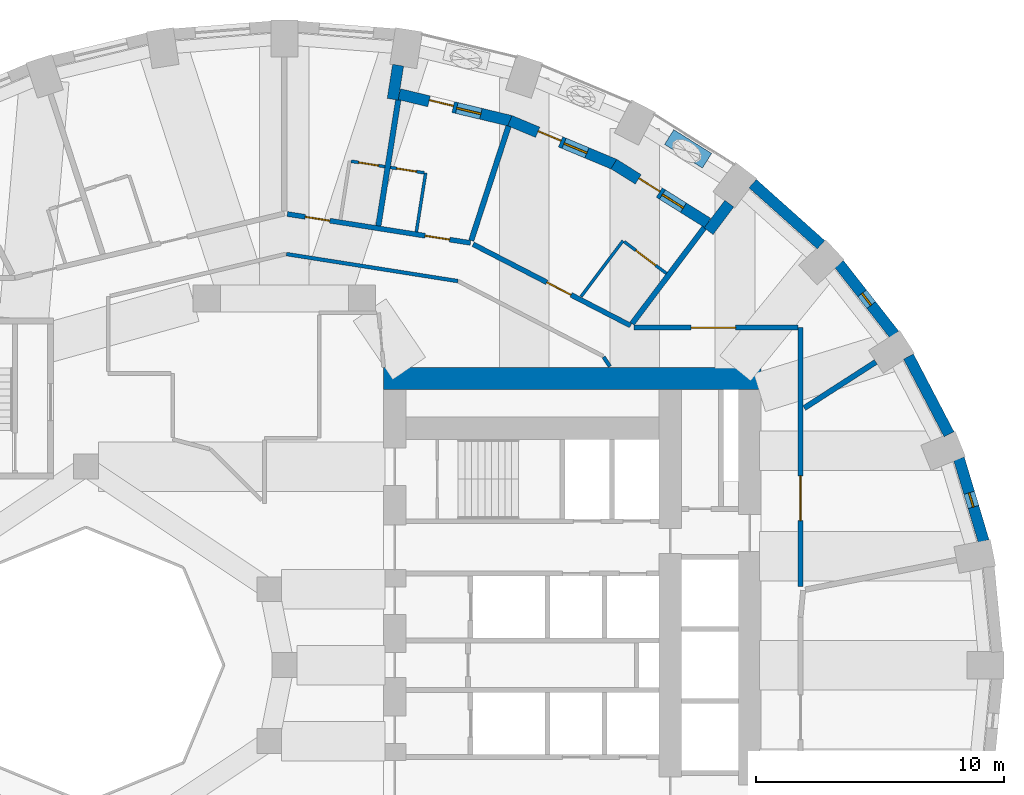
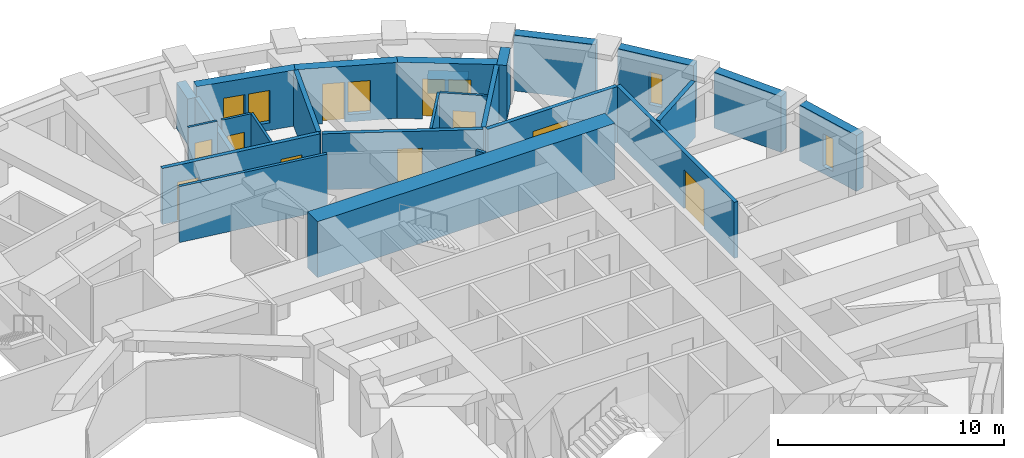
# One storey, part 9 of 13: 26 walls, 11 doors, 5 windows, 16 openings.
"""IFC4 building model written with IfcOpenShell, lengths in metres."""

from ifc_helpers import new_model, si_unit, direction, frame, frame_2d, origin, place, context, subcontext, project, spatial, rectangle, extrude, material, layer, layer_set, constituent, constituent_set, type_object, element, fill, save


model = new_model("IFC4")

# Units and contexts
model_context = context("Model", 3, precision=1e-05, world=origin(), true_north=direction((0.0, 1.0)))
body_context = subcontext(model_context, "Body", "Model", "MODEL_VIEW")
ifc_project = project(units=[si_unit("LENGTHUNIT", "METRE"), si_unit("AREAUNIT", "SQUARE_METRE"), si_unit("VOLUMEUNIT", "CUBIC_METRE"), si_unit("PLANEANGLEUNIT", "RADIAN"), si_unit("MASSUNIT", "GRAM", prefix="KILO")], contexts=[model_context])

# Site, building, storey
site_placement = place(None, origin())
site = spatial("IfcSite", under=ifc_project, at=site_placement, CompositionType="ELEMENT")
building_placement = place(site_placement, origin())
building = spatial("IfcBuilding", under=site, at=building_placement, Name="Taillehof Tower", CompositionType="ELEMENT")
storey_placement = place(building_placement, frame((0.0, 0.0, 67.89990234375)))
storey = spatial("IfcBuildingStorey", under=building, at=storey_placement, Name="L18", CompositionType="ELEMENT", Elevation=67.89990234375)

# Wall, opening, window
ifc_material_1 = material(Name="Brick masonry", Category="masonry")
ifc_layer_1 = layer(ifc_material_1, 0.449951171875)
ifc_layer_set_1 = layer_set([ifc_layer_1], Name="Brick infill wall 450")
wall_type_1 = type_object("IfcWallType", Name="Brick infill wall 450", PredefinedType="SOLIDWALL", material=ifc_layer_set_1)
wall_1_placement = place(storey_placement, frame((28.181884765625, 4.995849609375, 0.0), z_axis=(0.0, 0.0, 1.0), x_axis=(-0.287064133733, 0.957911364963, 0.0)))
wall_1 = element("IfcWall", 1, at=wall_1_placement, inside=storey, type_object=wall_type_1, Name="Brick wall L18 bay 2", PredefinedType="SOLIDWALL", context=body_context, shape_type="SweptSolid", body=[
    extrude(rectangle(XDim=3.473388671875, YDim=0.449951171875, at=frame_2d((1.73681640625, 0.0))), origin(), (0.0, 0.0, 1.0), 3.02001953125),
])
opening_1_placement = place(wall_1_placement, frame((1.436767578125, 0.0, 0.39990234375)))
opening_1 = element("IfcOpeningElement", 2, at=opening_1_placement, cuts=wall_1, Name="Opening W6", PredefinedType="OPENING", context=body_context, shape_type="SweptSolid", body=[
    extrude(rectangle(XDim=0.60009765625, YDim=1.75, at=frame_2d((0.300048828125, 0.875))), frame((0.0, 0.23486328125, 0.0), z_axis=(0.0, -1.0, 0.0), x_axis=(1.0, 0.0, 0.0)), (0.0, 0.0, 1.0), 0.469970703125),
])
ifc_material_2 = material(Name="Aluminium window frame with clear double glazing", Category="aluminium")
window_type_1 = type_object("IfcWindowType", Name="Slot window 600x1750", PartitioningType="SINGLE_PANEL", PredefinedType="WINDOW", material=ifc_material_2)
window_1_placement = place(opening_1_placement, origin())
window_1 = element("IfcWindow", 3, at=window_1_placement, inside=storey, type_object=window_type_1, Name="W6", OverallHeight=1.75, OverallWidth=0.60009765625, PartitioningType="SINGLE_PANEL", PredefinedType="WINDOW", context=body_context, shape_type="SweptSolid", body=[
    extrude(rectangle(XDim=0.60009765625, YDim=1.75, at=frame_2d((0.300048828125, 0.875))), frame((0.0, 0.034912109375, 0.0), z_axis=(0.0, -1.0, 0.0), x_axis=(1.0, 0.0, 0.0)), (0.0, 0.0, 1.0), 0.06005859375),
])
fill(opening_1, window_1)

# Wall
wall_2_placement = place(storey_placement, frame((26.78564453125, 9.30517578125, 0.0), z_axis=(0.0, 0.0, 1.0), x_axis=(-0.462492775226, 0.886623050041, 0.0)))
element("IfcWall", 4, at=wall_2_placement, inside=storey, type_object=wall_type_1, Name="Brick wall L18 bay 3", PredefinedType="SOLIDWALL", context=body_context, shape_type="SweptSolid", body=[
    extrude(rectangle(XDim=3.531982421875, YDim=0.449951171875, at=frame_2d((1.76611328125, 0.0))), origin(), (0.0, 0.0, 1.0), 3.02001953125),
])

# Wall, opening, window
wall_3_placement = place(storey_placement, frame((24.57763671875, 13.327880859375, 0.0), z_axis=(0.0, 0.0, 1.0), x_axis=(-0.616661975264, 0.787228053529, 0.0)))
wall_3 = element("IfcWall", 5, at=wall_3_placement, inside=storey, type_object=wall_type_1, Name="Brick wall L18 bay 4", PredefinedType="SOLIDWALL", context=body_context, shape_type="SweptSolid", body=[
    extrude(rectangle(XDim=3.60986328125, YDim=0.449951171875, at=frame_2d((1.804931640625, 0.0))), origin(), (0.0, 0.0, 1.0), 3.02001953125),
])
opening_2_placement = place(wall_3_placement, frame((1.5048828125, 0.0, 0.39990234375)))
opening_2 = element("IfcOpeningElement", 6, at=opening_2_placement, cuts=wall_3, Name="Opening W6", PredefinedType="OPENING", context=body_context, shape_type="SweptSolid", body=[
    extrude(rectangle(XDim=0.60009765625, YDim=1.75, at=frame_2d((0.300048828125, 0.875))), frame((0.0, 0.23486328125, 0.0), z_axis=(0.0, -1.0, 0.0), x_axis=(1.0, 0.0, 0.0)), (0.0, 0.0, 1.0), 0.469970703125),
])
window_2_placement = place(opening_2_placement, origin())
window_2 = element("IfcWindow", 7, at=window_2_placement, inside=storey, type_object=window_type_1, Name="W6", OverallHeight=1.75, OverallWidth=0.60009765625, PartitioningType="SINGLE_PANEL", PredefinedType="WINDOW", context=body_context, shape_type="SweptSolid", body=[
    extrude(rectangle(XDim=0.60009765625, YDim=1.75, at=frame_2d((0.300048828125, 0.875))), frame((0.0, 0.034912109375, 0.0), z_axis=(0.0, -1.0, 0.0), x_axis=(1.0, 0.0, 0.0)), (0.0, 0.0, 1.0), 0.06005859375),
])
fill(opening_2, window_2)

# Walls
wall_4_placement = place(storey_placement, frame((21.626708984375, 16.943115234375, 0.0), z_axis=(0.0, 0.0, 1.0), x_axis=(-0.745526233716, 0.66647628228, 0.0)))
element("IfcWall", 8, at=wall_4_placement, inside=storey, type_object=wall_type_1, Name="Brick wall L18 bay 5", PredefinedType="SOLIDWALL", context=body_context, shape_type="SweptSolid", body=[
    extrude(rectangle(XDim=3.69677734375, YDim=0.449951171875, at=frame_2d((1.848388671875, 0.0))), origin(), (0.0, 0.0, 1.0), 3.02001953125),
])
wall_5_placement = place(storey_placement, frame((17.931640625, 18.60009765625, 0.0), z_axis=(0.0, 0.0, 1.0), x_axis=(-0.601262851241, -0.799051302306, 0.0)))
element("IfcWall", 9, at=wall_5_placement, inside=storey, type_object=wall_type_1, Name="Brick reveal L18 pocket 1", PredefinedType="SOLIDWALL", context=body_context, shape_type="SweptSolid", body=[
    extrude(rectangle(XDim=1.39111328125, YDim=0.449951171875, at=frame_2d((0.695556640625, 0.0))), origin(), (0.0, 0.0, 1.0), 3.02001953125),
])
wall_6_placement = place(storey_placement, frame((4.58251953125, 24.178466796875, 0.0), z_axis=(0.0, 0.0, 1.0), x_axis=(-0.156133927791, -0.98773589415, 0.0)))
element("IfcWall", 10, at=wall_6_placement, inside=storey, type_object=wall_type_1, Name="Brick reveal L18 pocket 1", PredefinedType="SOLIDWALL", context=body_context, shape_type="SweptSolid", body=[
    extrude(rectangle(XDim=1.39013671875, YDim=0.449951171875, at=frame_2d((0.695068359375, 0.0))), origin(), (0.0, 0.0, 1.0), 2.47021484375),
])

# Wall, openings, door, window
wall_7_placement = place(storey_placement, frame((17.062255859375, 17.81884765625, 0.0), z_axis=(0.0, 0.0, 1.0), x_axis=(-0.846990101364, 0.531608660757, 0.0)))
wall_7 = element("IfcWall", 11, at=wall_7_placement, inside=storey, type_object=wall_type_1, Name="Brick wall L18 pocket bay 6", PredefinedType="SOLIDWALL", context=body_context, shape_type="SweptSolid", body=[
    extrude(rectangle(XDim=4.468994140625, YDim=0.449951171875, at=frame_2d((2.234375, 0.0))), origin(), (0.0, 0.0, 1.0), 3.02001953125),
])
opening_3_placement = place(wall_7_placement, frame((1.159423828125, 0.0, 0.39990234375)))
opening_3 = element("IfcOpeningElement", 12, at=opening_3_placement, cuts=wall_7, Name="Opening W5", PredefinedType="OPENING", context=body_context, shape_type="SweptSolid", body=[
    extrude(rectangle(XDim=1.0, YDim=1.75, at=frame_2d((0.5, 0.875))), frame((0.0, 0.23486328125, 0.0), z_axis=(0.0, -1.0, 0.0), x_axis=(1.0, 0.0, 0.0)), (0.0, 0.0, 1.0), 0.469970703125),
])
opening_4_placement = place(wall_7_placement, frame((2.3095703125, 0.0, 0.0)))
opening_4 = element("IfcOpeningElement", 13, at=opening_4_placement, cuts=wall_7, Name="Opening D1894", PredefinedType="OPENING", context=body_context, shape_type="SweptSolid", body=[
    extrude(rectangle(XDim=1.0, YDim=2.14990234375, at=frame_2d((0.5, 1.074951171875))), frame((0.0, 0.23486328125, 0.0), z_axis=(0.0, -1.0, 0.0), x_axis=(1.0, 0.0, 0.0)), (0.0, 0.0, 1.0), 0.469970703125),
])
ifc_material_3 = material(Name="Aluminium door frame with clear double glazing", Category="aluminium")
door_type_1 = type_object("IfcDoorType", Name="Balcony door 1000x2150", OperationType="SINGLE_SWING_RIGHT", PredefinedType="DOOR", material=ifc_material_3)
door_1_placement = place(opening_4_placement, frame((1.0, 0.0, 0.0), z_axis=(0.0, 0.0, 1.0), x_axis=(-1.0, 0.0, 0.0)))
door_1 = element("IfcDoor", 14, at=door_1_placement, inside=storey, type_object=door_type_1, Name="Balcony door L18 bay 6", OperationType="SINGLE_SWING_RIGHT", OverallHeight=2.14990234375, OverallWidth=1.0, PredefinedType="DOOR", context=body_context, shape_type="SweptSolid", body=[
    extrude(rectangle(XDim=1.0, YDim=2.14990234375, at=frame_2d((0.5, 1.074951171875))), frame((0.0, 0.0751953125, 0.0), z_axis=(0.0, -1.0, 0.0), x_axis=(1.0, 0.0, 0.0)), (0.0, 0.0, 1.0), 0.050048828125),
])
fill(opening_4, door_1)
ifc_material_4 = material(Name="Aluminium window frame with clear double glazing", Category="aluminium")
window_type_2 = type_object("IfcWindowType", Name="Fixed window 1000x1750", PartitioningType="SINGLE_PANEL", PredefinedType="WINDOW", material=ifc_material_4)
window_3_placement = place(opening_3_placement, origin())
window_3 = element("IfcWindow", 15, at=window_3_placement, inside=storey, type_object=window_type_2, Name="W5", OverallHeight=1.75, OverallWidth=1.0, PartitioningType="SINGLE_PANEL", PredefinedType="WINDOW", context=body_context, shape_type="SweptSolid", body=[
    extrude(rectangle(XDim=1.0, YDim=1.75, at=frame_2d((0.5, 0.875))), frame((0.0, 0.034912109375, 0.0), z_axis=(0.0, -1.0, 0.0), x_axis=(1.0, 0.0, 0.0)), (0.0, 0.0, 1.0), 0.06005859375),
])
fill(opening_3, window_3)

wall_8_placement = place(storey_placement, frame((13.31005859375, 20.177734375, 0.0), z_axis=(0.0, 0.0, 1.0), x_axis=(-0.922634412489, 0.385675693935, 0.0)))
wall_8 = element("IfcWall", 16, at=wall_8_placement, inside=storey, type_object=wall_type_1, Name="Brick wall L18 pocket bay 7", PredefinedType="SOLIDWALL", context=body_context, shape_type="SweptSolid", body=[
    extrude(rectangle(XDim=4.57666015625, YDim=0.449951171875, at=frame_2d((2.288330078125, 0.0))), origin(), (0.0, 0.0, 1.0), 3.02001953125),
])
opening_5_placement = place(wall_8_placement, frame((1.21337890625, 0.0, 0.39990234375)))
opening_5 = element("IfcOpeningElement", 17, at=opening_5_placement, cuts=wall_8, Name="Opening W5", PredefinedType="OPENING", context=body_context, shape_type="SweptSolid", body=[
    extrude(rectangle(XDim=1.0, YDim=1.75, at=frame_2d((0.5, 0.875))), frame((0.0, 0.23486328125, 0.0), z_axis=(0.0, -1.0, 0.0), x_axis=(1.0, 0.0, 0.0)), (0.0, 0.0, 1.0), 0.469970703125),
])
opening_6_placement = place(wall_8_placement, frame((2.36328125, 0.0, 0.0)))
opening_6 = element("IfcOpeningElement", 18, at=opening_6_placement, cuts=wall_8, Name="Opening D1895", PredefinedType="OPENING", context=body_context, shape_type="SweptSolid", body=[
    extrude(rectangle(XDim=1.0, YDim=2.14990234375, at=frame_2d((0.5, 1.074951171875))), frame((0.0, 0.23486328125, 0.0), z_axis=(0.0, -1.0, 0.0), x_axis=(1.0, 0.0, 0.0)), (0.0, 0.0, 1.0), 0.469970703125),
])
door_2_placement = place(opening_6_placement, frame((1.0, 0.0, 0.0), z_axis=(0.0, 0.0, 1.0), x_axis=(-1.0, 0.0, 0.0)))
door_2 = element("IfcDoor", 19, at=door_2_placement, inside=storey, type_object=door_type_1, Name="Balcony door L18 bay 7", OperationType="SINGLE_SWING_LEFT", OverallHeight=2.14990234375, OverallWidth=1.0, PredefinedType="DOOR", context=body_context, shape_type="SweptSolid", body=[
    extrude(rectangle(XDim=1.0, YDim=2.14990234375, at=frame_2d((0.5, 1.074951171875))), frame((0.0, 0.0751953125, 0.0), z_axis=(0.0, -1.0, 0.0), x_axis=(1.0, 0.0, 0.0)), (0.0, 0.0, 1.0), 0.050048828125),
])
fill(opening_6, door_2)
window_4_placement = place(opening_5_placement, origin())
window_4 = element("IfcWindow", 20, at=window_4_placement, inside=storey, type_object=window_type_2, Name="W5", OverallHeight=1.75, OverallWidth=1.0, PartitioningType="SINGLE_PANEL", PredefinedType="WINDOW", context=body_context, shape_type="SweptSolid", body=[
    extrude(rectangle(XDim=1.0, YDim=1.75, at=frame_2d((0.5, 0.875))), frame((0.0, 0.034912109375, 0.0), z_axis=(0.0, -1.0, 0.0), x_axis=(1.0, 0.0, 0.0)), (0.0, 0.0, 1.0), 0.06005859375),
])
fill(opening_5, window_4)

wall_9_placement = place(storey_placement, frame((9.12158203125, 21.931640625, 0.0), z_axis=(0.0, 0.0, 1.0), x_axis=(-0.972346547441, 0.233542697764, 0.0)))
wall_9 = element("IfcWall", 21, at=wall_9_placement, inside=storey, type_object=wall_type_1, Name="Brick wall L18 pocket bay 8", PredefinedType="SOLIDWALL", context=body_context, shape_type="SweptSolid", body=[
    extrude(rectangle(XDim=4.623779296875, YDim=0.449951171875, at=frame_2d((2.31201171875, 0.0))), origin(), (0.0, 0.0, 1.0), 3.02001953125),
])
opening_7_placement = place(wall_9_placement, frame((1.23681640625, 0.0, 0.39990234375)))
opening_7 = element("IfcOpeningElement", 22, at=opening_7_placement, cuts=wall_9, Name="Opening W5", PredefinedType="OPENING", context=body_context, shape_type="SweptSolid", body=[
    extrude(rectangle(XDim=1.0, YDim=1.75, at=frame_2d((0.5, 0.875))), frame((0.0, 0.23486328125, 0.0), z_axis=(0.0, -1.0, 0.0), x_axis=(1.0, 0.0, 0.0)), (0.0, 0.0, 1.0), 0.469970703125),
])
opening_8_placement = place(wall_9_placement, frame((2.38671875, 0.0, 0.0)))
opening_8 = element("IfcOpeningElement", 23, at=opening_8_placement, cuts=wall_9, Name="Opening D1896", PredefinedType="OPENING", context=body_context, shape_type="SweptSolid", body=[
    extrude(rectangle(XDim=1.0, YDim=2.14990234375, at=frame_2d((0.5, 1.074951171875))), frame((0.0, 0.23486328125, 0.0), z_axis=(0.0, -1.0, 0.0), x_axis=(1.0, 0.0, 0.0)), (0.0, 0.0, 1.0), 0.469970703125),
])
door_3_placement = place(opening_8_placement, frame((1.0, 0.0, 0.0), z_axis=(0.0, 0.0, 1.0), x_axis=(-1.0, 0.0, 0.0)))
door_3 = element("IfcDoor", 24, at=door_3_placement, inside=storey, type_object=door_type_1, Name="Balcony door L18 bay 8", OperationType="SINGLE_SWING_LEFT", OverallHeight=2.14990234375, OverallWidth=1.0, PredefinedType="DOOR", context=body_context, shape_type="SweptSolid", body=[
    extrude(rectangle(XDim=1.0, YDim=2.14990234375, at=frame_2d((0.5, 1.074951171875))), frame((0.0, 0.0751953125, 0.0), z_axis=(0.0, -1.0, 0.0), x_axis=(1.0, 0.0, 0.0)), (0.0, 0.0, 1.0), 0.050048828125),
])
fill(opening_8, door_3)
window_5_placement = place(opening_7_placement, origin())
window_5 = element("IfcWindow", 25, at=window_5_placement, inside=storey, type_object=window_type_2, Name="W5", OverallHeight=1.75, OverallWidth=1.0, PartitioningType="SINGLE_PANEL", PredefinedType="WINDOW", context=body_context, shape_type="SweptSolid", body=[
    extrude(rectangle(XDim=1.0, YDim=1.75, at=frame_2d((0.5, 0.875))), frame((0.0, 0.034912109375, 0.0), z_axis=(0.0, -1.0, 0.0), x_axis=(1.0, 0.0, 0.0)), (0.0, 0.0, 1.0), 0.06005859375),
])
fill(opening_7, window_5)

# Wall, opening, door
ifc_material_5 = material(Name="Gypsum board on steel studs, two layers each side", Category="steel")
ifc_layer_2 = layer(ifc_material_5, 0.199951171875)
ifc_layer_set_2 = layer_set([ifc_layer_2], Name="Compartment wall corridor 200")
wall_type_2 = type_object("IfcWallType", Name="Compartment wall corridor 200", PredefinedType="PARTITIONING", material=ifc_layer_set_2)
wall_10_placement = place(storey_placement, frame((20.800048828125, 13.60009765625, 0.0), z_axis=(0.0, 0.0, 1.0), x_axis=(0.0, -1.0, 0.0)))
wall_10 = element("IfcWall", 26, at=wall_10_placement, inside=storey, type_object=wall_type_2, Name="Compartment wall", PredefinedType="PARTITIONING", context=body_context, shape_type="SweptSolid", body=[
    extrude(rectangle(XDim=10.427734375, YDim=0.199951171875, at=frame_2d((5.2138671875, 0.0))), origin(), (0.0, 0.0, 1.0), 3.02001953125),
])
opening_9_placement = place(wall_10_placement, frame((5.9755859375, 0.0, 0.0)))
opening_9 = element("IfcOpeningElement", 27, at=opening_9_placement, cuts=wall_10, Name="Opening D1877", PredefinedType="OPENING", context=body_context, shape_type="SweptSolid", body=[
    extrude(rectangle(XDim=1.800048828125, YDim=2.10009765625, at=frame_2d((0.89990234375, 1.050048828125))), frame((0.0, 0.10986328125, 0.0), z_axis=(0.0, -1.0, 0.0), x_axis=(1.0, 0.0, 0.0)), (0.0, 0.0, 1.0), 0.219970703125),
])
ifc_material_6 = material(Name="Timber door leaf in steel frame", Category="steel")
door_type_2 = type_object("IfcDoorType", Name="Lounge and meeting room double door EI 30 1800 x 2100", OperationType="SINGLE_SWING_LEFT", PredefinedType="DOOR", material=ifc_material_6)
door_4_placement = place(opening_9_placement, origin())
door_4 = element("IfcDoor", 28, at=door_4_placement, inside=storey, type_object=door_type_2, Name="D1877", OperationType="DOUBLE_DOOR_SINGLE_SWING", OverallHeight=2.10009765625, OverallWidth=1.800048828125, PredefinedType="DOOR", context=body_context, shape_type="SweptSolid", body=[
    extrude(rectangle(XDim=1.800048828125, YDim=2.10009765625, at=frame_2d((0.89990234375, 1.050048828125))), frame((0.0, 0.02490234375, 0.0), z_axis=(0.0, -1.0, 0.0), x_axis=(1.0, 0.0, 0.0)), (0.0, 0.0, 1.0), 0.050048828125),
])
fill(opening_9, door_4)

# Wall, openings, doors
wall_11_placement = place(storey_placement, frame((0.11865234375, 18.180908203125, 0.0), z_axis=(0.0, 0.0, 1.0), x_axis=(0.987788122462, -0.155803161464, 0.0)))
wall_11 = element("IfcWall", 29, at=wall_11_placement, inside=storey, type_object=wall_type_2, Name="Compartment wall", PredefinedType="PARTITIONING", context=body_context, shape_type="SweptSolid", body=[
    extrude(rectangle(XDim=7.471435546875, YDim=0.199951171875, at=frame_2d((3.73583984375, 0.0))), origin(), (0.0, 0.0, 1.0), 3.02001953125),
])
opening_10_placement = place(wall_11_placement, frame((5.61865234375, 0.0, 0.0)))
opening_10 = element("IfcOpeningElement", 30, at=opening_10_placement, cuts=wall_11, Name="Opening D1842", PredefinedType="OPENING", context=body_context, shape_type="SweptSolid", body=[
    extrude(rectangle(XDim=1.0, YDim=2.10009765625, at=frame_2d((0.5, 1.050048828125))), frame((0.0, 0.10986328125, 0.0), z_axis=(0.0, -1.0, 0.0), x_axis=(1.0, 0.0, 0.0)), (0.0, 0.0, 1.0), 0.219970703125),
])
opening_11_placement = place(wall_11_placement, frame((0.731689453125, 0.0, 0.0)))
opening_11 = element("IfcOpeningElement", 31, at=opening_11_placement, cuts=wall_11, Name="Opening D1844", PredefinedType="OPENING", context=body_context, shape_type="SweptSolid", body=[
    extrude(rectangle(XDim=1.0, YDim=2.10009765625, at=frame_2d((0.5, 1.050048828125))), frame((0.0, 0.10986328125, 0.0), z_axis=(0.0, -1.0, 0.0), x_axis=(1.0, 0.0, 0.0)), (0.0, 0.0, 1.0), 0.219970703125),
])
ifc_material_7 = material(Name="Timber door leaf in steel frame", Category="steel")
door_type_3 = type_object("IfcDoorType", Name="Guest room door EI 30 1000 x 2100", OperationType="SINGLE_SWING_LEFT", PredefinedType="DOOR", material=ifc_material_7)
door_5_placement = place(opening_10_placement, origin())
door_5 = element("IfcDoor", 32, at=door_5_placement, inside=storey, type_object=door_type_3, Name="D1842", OperationType="SINGLE_SWING_LEFT", OverallHeight=2.10009765625, OverallWidth=1.0, PredefinedType="DOOR", context=body_context, shape_type="SweptSolid", body=[
    extrude(rectangle(XDim=1.0, YDim=2.10009765625, at=frame_2d((0.5, 1.050048828125))), frame((0.0, 0.02490234375, 0.0), z_axis=(0.0, -1.0, 0.0), x_axis=(1.0, 0.0, 0.0)), (0.0, 0.0, 1.0), 0.050048828125),
])
fill(opening_10, door_5)
door_6_placement = place(opening_11_placement, origin())
door_6 = element("IfcDoor", 33, at=door_6_placement, inside=storey, type_object=door_type_3, Name="D1844", OperationType="SINGLE_SWING_RIGHT", OverallHeight=2.10009765625, OverallWidth=1.0, PredefinedType="DOOR", context=body_context, shape_type="SweptSolid", body=[
    extrude(rectangle(XDim=1.0, YDim=2.10009765625, at=frame_2d((0.5, 1.050048828125))), frame((0.0, 0.02490234375, 0.0), z_axis=(0.0, -1.0, 0.0), x_axis=(1.0, 0.0, 0.0)), (0.0, 0.0, 1.0), 0.050048828125),
])
fill(opening_11, door_6)

# Wall, opening, door
wall_12_placement = place(storey_placement, frame((7.605712890625, 16.961181640625, 0.0), z_axis=(0.0, 0.0, 1.0), x_axis=(0.888519518851, -0.45883882205, 0.0)))
wall_12 = element("IfcWall", 34, at=wall_12_placement, inside=storey, type_object=wall_type_2, Name="Compartment wall", PredefinedType="PARTITIONING", context=body_context, shape_type="SweptSolid", body=[
    extrude(rectangle(XDim=7.14208984375, YDim=0.199951171875, at=frame_2d((3.571044921875, 0.0))), origin(), (0.0, 0.0, 1.0), 3.02001953125),
])
opening_12_placement = place(wall_12_placement, frame((3.342041015625, 0.0, 0.0)))
opening_12 = element("IfcOpeningElement", 35, at=opening_12_placement, cuts=wall_12, Name="Opening D1840", PredefinedType="OPENING", context=body_context, shape_type="SweptSolid", body=[
    extrude(rectangle(XDim=1.10009765625, YDim=2.10009765625, at=frame_2d((0.550048828125, 1.050048828125))), frame((0.0, 0.10986328125, 0.0), z_axis=(0.0, -1.0, 0.0), x_axis=(1.0, 0.0, 0.0)), (0.0, 0.0, 1.0), 0.219970703125),
])
ifc_material_8 = material(Name="Timber door leaf in steel frame", Category="steel")
door_type_4 = type_object("IfcDoorType", Name="Accessible guest room door EI 30 1100 x 2100", OperationType="SINGLE_SWING_LEFT", PredefinedType="DOOR", material=ifc_material_8)
door_7_placement = place(opening_12_placement, origin())
door_7 = element("IfcDoor", 36, at=door_7_placement, inside=storey, type_object=door_type_4, Name="D1840", OperationType="SINGLE_SWING_RIGHT", OverallHeight=2.10009765625, OverallWidth=1.10009765625, PredefinedType="DOOR", context=body_context, shape_type="SweptSolid", body=[
    extrude(rectangle(XDim=1.10009765625, YDim=2.10009765625, at=frame_2d((0.550048828125, 1.050048828125))), frame((0.0, 0.02490234375, 0.0), z_axis=(0.0, -1.0, 0.0), x_axis=(1.0, 0.0, 0.0)), (0.0, 0.0, 1.0), 0.050048828125),
])
fill(opening_12, door_7)

wall_13_placement = place(storey_placement, frame((14.08642578125, 13.60009765625, 0.0), z_axis=(0.0, 0.0, 1.0), x_axis=(1.0, 0.0, 0.0)))
wall_13 = element("IfcWall", 37, at=wall_13_placement, inside=storey, type_object=wall_type_2, Name="Compartment wall", PredefinedType="PARTITIONING", context=body_context, shape_type="SweptSolid", body=[
    extrude(rectangle(XDim=6.613525390625, YDim=0.199951171875, at=frame_2d((3.306640625, 0.0))), origin(), (0.0, 0.0, 1.0), 3.02001953125),
])
opening_13_placement = place(wall_13_placement, frame((2.302734375, 0.0, 0.0)))
opening_13 = element("IfcOpeningElement", 38, at=opening_13_placement, cuts=wall_13, Name="Opening D1878", PredefinedType="OPENING", context=body_context, shape_type="SweptSolid", body=[
    extrude(rectangle(XDim=1.800048828125, YDim=2.10009765625, at=frame_2d((0.89990234375, 1.050048828125))), frame((0.0, 0.10986328125, 0.0), z_axis=(0.0, -1.0, 0.0), x_axis=(1.0, 0.0, 0.0)), (0.0, 0.0, 1.0), 0.219970703125),
])
door_8_placement = place(opening_13_placement, origin())
door_8 = element("IfcDoor", 39, at=door_8_placement, inside=storey, type_object=door_type_2, Name="D1878", OperationType="DOUBLE_DOOR_SINGLE_SWING", OverallHeight=2.10009765625, OverallWidth=1.800048828125, PredefinedType="DOOR", context=body_context, shape_type="SweptSolid", body=[
    extrude(rectangle(XDim=1.800048828125, YDim=2.10009765625, at=frame_2d((0.89990234375, 1.050048828125))), frame((0.0, 0.02490234375, 0.0), z_axis=(0.0, -1.0, 0.0), x_axis=(1.0, 0.0, 0.0)), (0.0, 0.0, 1.0), 0.050048828125),
])
fill(opening_13, door_8)

# Walls
ifc_material_9 = material(Name="Gypsum board on double steel studs with mineral wool", Category="steel")
ifc_layer_3 = layer(ifc_material_9, 0.219970703125)
ifc_layer_set_3 = layer_set([ifc_layer_3], Name="Compartment wall guest room 220")
wall_type_3 = type_object("IfcWallType", Name="Compartment wall guest room 220", PredefinedType="PARTITIONING", material=ifc_layer_set_3)
wall_14_placement = place(storey_placement, frame((23.834716796875, 12.218994140625, 0.0), z_axis=(0.0, 0.0, 1.0), x_axis=(-0.840694872373, -0.541509124176, 0.0)))
element("IfcWall", 40, at=wall_14_placement, inside=storey, type_object=wall_type_3, Name="Compartment wall", PredefinedType="PARTITIONING", context=body_context, shape_type="SweptSolid", body=[
    extrude(rectangle(XDim=3.430419921875, YDim=0.219970703125, at=frame_2d((1.71533203125, 0.0))), origin(), (0.0, 0.0, 1.0), 3.02001953125),
])
wall_15_placement = place(storey_placement, frame((16.926513671875, 17.638427734375, 0.0), z_axis=(0.0, 0.0, 1.0), x_axis=(-0.601159395391, -0.799129139334, 0.0)))
element("IfcWall", 41, at=wall_15_placement, inside=storey, type_object=wall_type_3, Name="Compartment wall", PredefinedType="PARTITIONING", context=body_context, shape_type="SweptSolid", body=[
    extrude(rectangle(XDim=4.84912109375, YDim=0.219970703125, at=frame_2d((2.424560546875, 0.0))), origin(), (0.0, 0.0, 1.0), 3.02001953125),
])
wall_16_placement = place(storey_placement, frame((9.033935546875, 21.72119140625, 0.0), z_axis=(0.0, 0.0, 1.0), x_axis=(-0.310330277344, -0.95062880188, 0.0)))
element("IfcWall", 42, at=wall_16_placement, inside=storey, type_object=wall_type_3, Name="Compartment wall", PredefinedType="PARTITIONING", context=body_context, shape_type="SweptSolid", body=[
    extrude(rectangle(XDim=4.848388671875, YDim=0.219970703125, at=frame_2d((2.42431640625, 0.0))), origin(), (0.0, 0.0, 1.0), 3.02001953125),
])
wall_17_placement = place(storey_placement, frame((4.590576171875, 22.78857421875, 0.0), z_axis=(0.0, 0.0, 1.0), x_axis=(-0.156172011014, -0.987729873486, 0.0)))
element("IfcWall", 43, at=wall_17_placement, inside=storey, type_object=wall_type_3, Name="Compartment wall", PredefinedType="PARTITIONING", context=body_context, shape_type="SweptSolid", body=[
    extrude(rectangle(XDim=5.14794921875, YDim=0.219970703125, at=frame_2d((2.573974609375, 0.0))), origin(), (0.0, 0.0, 1.0), 2.47021484375),
])
ifc_material_10 = material(Name="Gypsum board on steel studs, two layers each side", Category="steel")
ifc_layer_4 = layer(ifc_material_10, 0.14990234375)
ifc_layer_set_4 = layer_set([ifc_layer_4], Name="Compartment wall service room 150")
wall_type_4 = type_object("IfcWallType", Name="Compartment wall service room 150", PredefinedType="PARTITIONING", material=ifc_layer_set_4)
wall_18_placement = place(storey_placement, frame((0.08349609375, 16.56689453125, 0.0), z_axis=(0.0, 0.0, 1.0), x_axis=(0.987781067139, -0.15584788546, 0.0)))
element("IfcWall", 44, at=wall_18_placement, inside=storey, type_object=wall_type_4, Name="Compartment wall", PredefinedType="PARTITIONING", context=body_context, shape_type="SweptSolid", body=[
    extrude(rectangle(XDim=6.99609375, YDim=0.14990234375, at=frame_2d((3.498046875, 0.0))), origin(), (0.0, 0.0, 1.0), 3.02001953125),
])
wall_19_placement = place(storey_placement, frame((12.86376953125, 12.4228515625, 0.0), z_axis=(0.0, 0.0, 1.0), x_axis=(0.545733799108, -0.837958603101, 0.0)))
element("IfcWall", 45, at=wall_19_placement, inside=storey, type_object=wall_type_4, Name="Compartment wall", PredefinedType="PARTITIONING", context=body_context, shape_type="SweptSolid", body=[
    extrude(rectangle(XDim=0.46044921875, YDim=0.14990234375, at=frame_2d((0.230224609375, 0.0))), origin(), (0.0, 0.0, 1.0), 3.02001953125),
])
ifc_material_11 = material(Name="Concrete C80/95", Category="concrete")
ifc_layer_5 = layer(ifc_material_11, 0.89990234375)
ifc_layer_set_5 = layer_set([ifc_layer_5], Name="Core wall C80/95 900")
wall_type_5 = type_object("IfcWallType", Name="Core wall C80/95 900", PredefinedType="SHEAR", material=ifc_layer_set_5)
wall_20_placement = place(storey_placement, frame((4.0, 11.550048828125, 0.0), z_axis=(0.0, 0.0, 1.0), x_axis=(1.0, 0.0, 0.0)))
element("IfcWall", 46, at=wall_20_placement, inside=storey, type_object=wall_type_5, Name="Core wall CW03", PredefinedType="SHEAR", context=body_context, shape_type="SweptSolid", body=[
    extrude(rectangle(XDim=15.199951171875, YDim=0.89990234375, at=frame_2d((7.60009765625, 0.0))), origin(), (0.0, 0.0, 1.0), 3.02001953125),
])
ifc_material_12 = material(Name="Gypsum board on steel studs, moisture resistant", Category="steel")
ifc_layer_6 = layer(ifc_material_12, 0.1201171875)
ifc_layer_set_6 = layer_set([ifc_layer_6], Name="En-suite wall 120")
wall_type_6 = type_object("IfcWallType", Name="En-suite wall 120", PredefinedType="PARTITIONING", material=ifc_layer_set_6)
wall_21_placement = place(storey_placement, frame((11.951904296875, 14.8515625, 0.0), z_axis=(0.0, 0.0, 1.0), x_axis=(0.60115003842, 0.7991361782, 0.0)))
element("IfcWall", 47, at=wall_21_placement, inside=storey, type_object=wall_type_6, Name="En-suite wall", PredefinedType="PARTITIONING", context=body_context, shape_type="SweptSolid", body=[
    extrude(rectangle(XDim=2.817626953125, YDim=0.1201171875, at=frame_2d((1.40869140625, 0.0))), origin(), (0.0, 0.0, 1.0), 3.02001953125),
])
wall_22_placement = place(storey_placement, frame((5.31787109375, 17.462158203125, 0.0), z_axis=(0.0, 0.0, 1.0), x_axis=(0.156077517275, 0.987744809453, 0.0)))
element("IfcWall", 48, at=wall_22_placement, inside=storey, type_object=wall_type_6, Name="En-suite wall", PredefinedType="PARTITIONING", context=body_context, shape_type="SweptSolid", body=[
    extrude(rectangle(XDim=2.3994140625, YDim=0.1201171875, at=frame_2d((1.19970703125, 0.0))), origin(), (0.0, 0.0, 1.0), 3.02001953125),
])

# Wall, opening, door
wall_23_placement = place(storey_placement, frame((13.693603515625, 17.067138671875, 0.0), z_axis=(0.0, 0.0, 1.0), x_axis=(0.799118870394, -0.601173045786, 0.0)))
wall_23 = element("IfcWall", 49, at=wall_23_placement, inside=storey, type_object=wall_type_6, Name="En-suite wall", PredefinedType="PARTITIONING", context=body_context, shape_type="SweptSolid", body=[
    extrude(rectangle(XDim=2.130126953125, YDim=0.1201171875, at=frame_2d((1.06494140625, 0.0))), origin(), (0.0, 0.0, 1.0), 3.02001953125),
])
opening_14_placement = place(wall_23_placement, frame((0.590087890625, 0.0, 0.0)))
opening_14 = element("IfcOpeningElement", 50, at=opening_14_placement, cuts=wall_23, Name="Opening D1841", PredefinedType="OPENING", context=body_context, shape_type="SweptSolid", body=[
    extrude(rectangle(XDim=1.0, YDim=2.10009765625, at=frame_2d((0.5, 1.050048828125))), frame((0.0, 0.070068359375, 0.0), z_axis=(0.0, -1.0, 0.0), x_axis=(1.0, 0.0, 0.0)), (0.0, 0.0, 1.0), 0.14013671875),
])
ifc_material_13 = material(Name="Timber door leaf in steel frame", Category="steel")
door_type_5 = type_object("IfcDoorType", Name="Accessible en-suite door 1000 x 2100", OperationType="SINGLE_SWING_LEFT", PredefinedType="DOOR", material=ifc_material_13)
door_9_placement = place(opening_14_placement, origin())
door_9 = element("IfcDoor", 51, at=door_9_placement, inside=storey, type_object=door_type_5, Name="D1841", OperationType="SINGLE_SWING_RIGHT", OverallHeight=2.10009765625, OverallWidth=1.0, PredefinedType="DOOR", context=body_context, shape_type="SweptSolid", body=[
    extrude(rectangle(XDim=1.0, YDim=2.10009765625, at=frame_2d((0.5, 1.050048828125))), frame((0.0, 0.02490234375, 0.0), z_axis=(0.0, -1.0, 0.0), x_axis=(1.0, 0.0, 0.0)), (0.0, 0.0, 1.0), 0.050048828125),
])
fill(opening_14, door_9)

wall_24_placement = place(storey_placement, frame((5.633056640625, 19.841552734375, 0.0), z_axis=(0.0, 0.0, 1.0), x_axis=(-0.987722767831, 0.156216945011, 0.0)))
wall_24 = element("IfcWall", 52, at=wall_24_placement, inside=storey, type_object=wall_type_6, Name="En-suite wall", PredefinedType="PARTITIONING", context=body_context, shape_type="SweptSolid", body=[
    extrude(rectangle(XDim=1.3798828125, YDim=0.1201171875, at=frame_2d((0.68994140625, 0.0))), origin(), (0.0, 0.0, 1.0), 3.02001953125),
])
opening_15_placement = place(wall_24_placement, frame((0.31494140625, 0.0, 0.0)))
opening_15 = element("IfcOpeningElement", 53, at=opening_15_placement, cuts=wall_24, Name="Opening D1843", PredefinedType="OPENING", context=body_context, shape_type="SweptSolid", body=[
    extrude(rectangle(XDim=0.800048828125, YDim=2.10009765625, at=frame_2d((0.39990234375, 1.050048828125))), frame((0.0, 0.070068359375, 0.0), z_axis=(0.0, -1.0, 0.0), x_axis=(1.0, 0.0, 0.0)), (0.0, 0.0, 1.0), 0.14013671875),
])
ifc_material_14 = material(Name="Timber door leaf in steel frame", Category="steel")
door_type_6 = type_object("IfcDoorType", Name="En-suite door 800 x 2100", OperationType="SINGLE_SWING_LEFT", PredefinedType="DOOR", material=ifc_material_14)
door_10_placement = place(opening_15_placement, origin())
door_10 = element("IfcDoor", 54, at=door_10_placement, inside=storey, type_object=door_type_6, Name="D1843", OperationType="SINGLE_SWING_LEFT", OverallHeight=2.10009765625, OverallWidth=0.800048828125, PredefinedType="DOOR", context=body_context, shape_type="SweptSolid", body=[
    extrude(rectangle(XDim=0.800048828125, YDim=2.10009765625, at=frame_2d((0.39990234375, 1.050048828125))), frame((0.0, 0.02490234375, 0.0), z_axis=(0.0, -1.0, 0.0), x_axis=(1.0, 0.0, 0.0)), (0.0, 0.0, 1.0), 0.050048828125),
])
fill(opening_15, door_10)

wall_25_placement = place(storey_placement, frame((2.689697265625, 20.30712890625, 0.0), z_axis=(0.0, 0.0, 1.0), x_axis=(0.987695455518, -0.156389536571, 0.0)))
wall_25 = element("IfcWall", 55, at=wall_25_placement, inside=storey, type_object=wall_type_6, Name="En-suite wall", PredefinedType="PARTITIONING", context=body_context, shape_type="SweptSolid", body=[
    extrude(rectangle(XDim=1.380126953125, YDim=0.1201171875, at=frame_2d((0.68994140625, 0.0))), origin(), (0.0, 0.0, 1.0), 3.02001953125),
])
opening_16_placement = place(wall_25_placement, frame((0.315185546875, 0.0, 0.0)))
opening_16 = element("IfcOpeningElement", 56, at=opening_16_placement, cuts=wall_25, Name="Opening D1845", PredefinedType="OPENING", context=body_context, shape_type="SweptSolid", body=[
    extrude(rectangle(XDim=0.800048828125, YDim=2.10009765625, at=frame_2d((0.39990234375, 1.050048828125))), frame((0.0, 0.070068359375, 0.0), z_axis=(0.0, -1.0, 0.0), x_axis=(1.0, 0.0, 0.0)), (0.0, 0.0, 1.0), 0.14013671875),
])
door_11_placement = place(opening_16_placement, origin())
door_11 = element("IfcDoor", 57, at=door_11_placement, inside=storey, type_object=door_type_6, Name="D1845", OperationType="SINGLE_SWING_RIGHT", OverallHeight=2.10009765625, OverallWidth=0.800048828125, PredefinedType="DOOR", context=body_context, shape_type="SweptSolid", body=[
    extrude(rectangle(XDim=0.800048828125, YDim=2.10009765625, at=frame_2d((0.39990234375, 1.050048828125))), frame((0.0, 0.02490234375, 0.0), z_axis=(0.0, -1.0, 0.0), x_axis=(1.0, 0.0, 0.0)), (0.0, 0.0, 1.0), 0.050048828125),
])
fill(opening_16, door_11)

# Wall
ifc_material_15 = material(Name="Concrete C30/37 precast", Category="concrete")
ifc_constituent_1 = constituent(ifc_material_15, Name="Structure", Category="concrete")
ifc_material_16 = material(Name="Insulated lining")
ifc_constituent_2 = constituent(ifc_material_16, Name="Lining")
ifc_constituent_set = constituent_set(constituents=[ifc_constituent_1, ifc_constituent_2], Name="Planter trough 700x750")
wall_type_7 = type_object("IfcWallType", Name="Planter trough 700x750", PredefinedType="USERDEFINED", material=ifc_constituent_set)
wall_26_placement = place(storey_placement, frame((17.03173828125, 20.327880859375, 0.0), z_axis=(0.0, 0.0, 1.0), x_axis=(-0.847609446823, 0.530620604252, 0.0)))
element("IfcWall", 58, at=wall_26_placement, inside=storey, type_object=wall_type_7, Name="Planter L18 bay 6", ObjectType="PLANTER", PredefinedType="USERDEFINED", context=body_context, shape_type="SweptSolid", body=[
    extrude(rectangle(XDim=1.7998046875, YDim=0.699951171875, at=frame_2d((0.89990234375, 0.0))), origin(), (0.0, 0.0, 1.0), 0.75),
])

save(model, "model.ifc")
